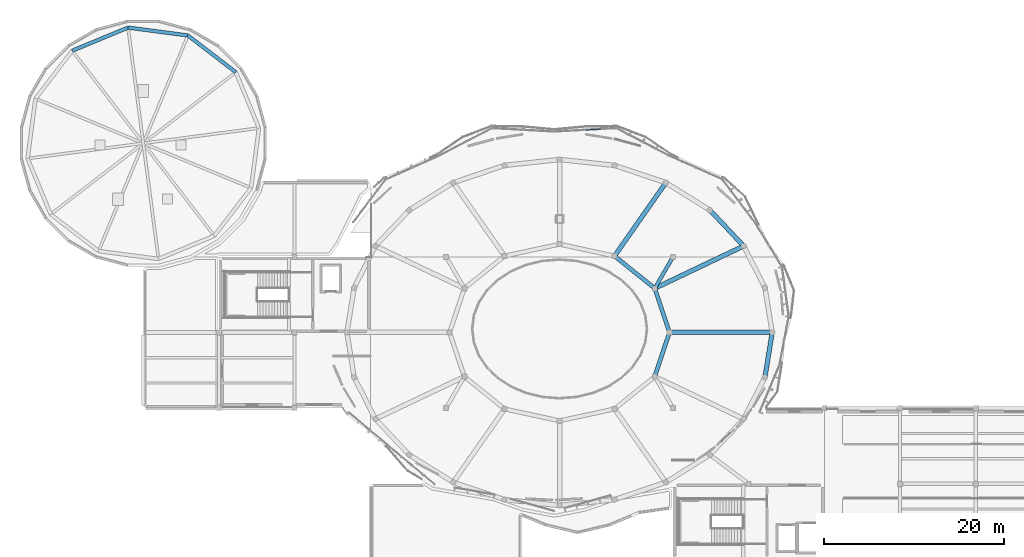
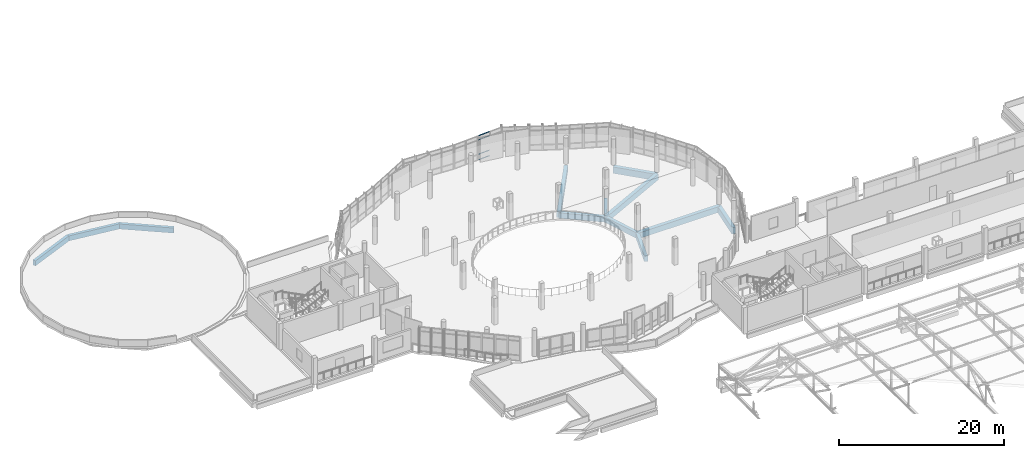
# One storey, part 41 of 74: 12 beams, 4 members, 1 element without a shape of its own.
"""IFC4 building model written with IfcOpenShell, lengths in metres."""

from ifc_helpers import new_model, si_unit, derived_unit, direction, frame, origin, origin_2d, place, context, subcontext, project, spatial, rectangle, hollow_rectangle, extrude, material, layer, layer_set, material_profile, profile_set, type_object, element, aggregate, save


model = new_model("IFC4")

# Units and contexts
model_context = context("Model", 3, precision=1e-05, world=origin(), true_north=direction((0.0, 1.0)))
body_context = subcontext(model_context, "Body", "Model", "MODEL_VIEW")
ifc_project = project(units=[si_unit("LENGTHUNIT", "METRE"), si_unit("AREAUNIT", "SQUARE_METRE"), si_unit("VOLUMEUNIT", "CUBIC_METRE"), si_unit("PLANEANGLEUNIT", "RADIAN"), si_unit("MASSUNIT", "GRAM", prefix="KILO"), derived_unit("THERMALTRANSMITTANCEUNIT", [(si_unit("POWERUNIT", "WATT"), 1), (si_unit("LENGTHUNIT", "METRE"), -2), (si_unit("THERMODYNAMICTEMPERATUREUNIT", "KELVIN"), -1)])], contexts=[model_context])

# Site, building, storey
site_placement = place(None, origin())
site = spatial("IfcSite", under=ifc_project, at=site_placement, CompositionType="ELEMENT")
building_placement = place(site_placement, origin())
building = spatial("IfcBuilding", under=site, at=building_placement, Name="Elbkamm Science Centre", CompositionType="ELEMENT")
storey_placement = place(building_placement, frame((0.0, 0.0, 14.39990234375)))
storey = spatial("IfcBuildingStorey", under=building, at=storey_placement, Name="L03", CompositionType="ELEMENT", Elevation=14.39990234375)

# Beams
ifc_material_1 = material(Name="Concrete C40/50", Category="concrete")
ifc_material_profile_1 = material_profile(ifc_material_1, rectangle(XDim=0.39990234375, YDim=0.64990234375, at=origin_2d()), Name="RC 400x650")
ifc_profile_set_1 = profile_set([ifc_material_profile_1], Name="Concrete C40/50")
beam_type_1 = type_object("IfcBeamType", Name="BM-RC-400x650", PredefinedType="BEAM", material=ifc_profile_set_1)
beam_1_placement = place(storey_placement, frame((75.489501953125, 75.409912109375, -0.60498046875), z_axis=(-0.502465212806, -0.864597426506, 0.0), x_axis=(0.864597426506, -0.502465212806, 0.0)))
element("IfcBeam", 1, at=beam_1_placement, inside=storey, type_object=beam_type_1, Name="L03 Perimeter Ring Tie Girder 060", PredefinedType="BEAM", context=body_context, shape_type="SweptSolid", body=[
    extrude(rectangle(XDim=0.39990234375, YDim=0.64990234375, at=origin_2d()), origin(), (0.0, 0.0, 1.0), 3.608154296875),
])
ifc_material_profile_2 = material_profile(ifc_material_1, rectangle(XDim=0.39990234375, YDim=0.75, at=origin_2d()), Name="RC 400x750")
ifc_profile_set_2 = profile_set([ifc_material_profile_2], Name="Concrete C40/50")
beam_type_2 = type_object("IfcBeamType", Name="BM-RC-400x750", PredefinedType="BEAM", material=ifc_profile_set_2)
for number, where, z_axis, x_axis, name in (
    (2, (27.073974609375, 96.0830078125, -0.5849609375), (-0.793316689519, 0.608809190249, 0.0), (-0.608809190249, -0.793316689519, 0.0), "L03 Planetarium Drum Ring Spandrel 02"),
    (3, (21.756103515625, 100.1640625, -0.5849609375), (-0.991444127465, 0.13053176669, 0.0), (-0.13053176669, -0.991444127465, 0.0), "L03 Planetarium Drum Ring Spandrel 03"),
    (4, (15.110107421875, 101.0390625, -0.5849609375), (-0.923896985298, -0.382641294893, 0.0), (0.382641294893, -0.923896985298, 0.0), "L03 Planetarium Drum Ring Spandrel 04"),
):
    element("IfcBeam", number, at=place(storey_placement, frame(where, z_axis=z_axis, x_axis=x_axis)), inside=storey, type_object=beam_type_2, Name=name, PredefinedType="SPANDREL", context=body_context, shape_type="SweptSolid", body=[
        extrude(rectangle(XDim=0.39990234375, YDim=0.75, at=origin_2d()), origin(), (0.0, 0.0, 1.0), 6.703369140625),
    ])
ifc_material_profile_3 = material_profile(ifc_material_1, rectangle(XDim=0.449951171875, YDim=0.800048828125, at=origin_2d()), Name="RC 450x800")
ifc_profile_set_3 = profile_set([ifc_material_profile_3], Name="Concrete C40/50")
beam_type_3 = type_object("IfcBeamType", Name="BM-RC-450x800", PredefinedType="BEAM", material=ifc_profile_set_3)
beam_2_placement = place(storey_placement, frame((75.199951171875, 67.199951171875, -0.679931640625), z_axis=(-0.31634119852, 0.948645479681, 0.0), x_axis=(-0.948645479681, -0.31634119852, 0.0)))
element("IfcBeam", 5, at=beam_2_placement, inside=storey, type_object=beam_type_3, Name="L03 Atrium Ring Girder 01", PredefinedType="BEAM", context=body_context, shape_type="SweptSolid", body=[
    extrude(rectangle(XDim=0.449951171875, YDim=0.800048828125, at=origin_2d()), origin(), (0.0, 0.0, 1.0), 5.16552734375),
])
beam_3_placement = place(storey_placement, frame((73.56591796875, 72.10009765625, -0.679931640625), z_axis=(-0.779653109273, 0.626211648887, 0.0), x_axis=(-0.626211648887, -0.779653109273, 0.0)))
element("IfcBeam", 6, at=beam_3_placement, inside=storey, type_object=beam_type_3, Name="L03 Atrium Ring Girder 02", PredefinedType="BEAM", context=body_context, shape_type="SweptSolid", body=[
    extrude(rectangle(XDim=0.449951171875, YDim=0.800048828125, at=origin_2d()), origin(), (0.0, 0.0, 1.0), 5.72802734375),
])
beam_4_placement = place(storey_placement, frame((73.56591796875, 62.300048828125, -0.679931640625), z_axis=(0.316355382987, 0.948640749523, 0.0), x_axis=(-0.948640749523, 0.316355382987, 0.0)))
element("IfcBeam", 7, at=beam_4_placement, inside=storey, type_object=beam_type_3, Name="L03 Atrium Ring Girder 12", PredefinedType="BEAM", context=body_context, shape_type="SweptSolid", body=[
    extrude(rectangle(XDim=0.449951171875, YDim=0.800048828125, at=origin_2d()), origin(), (0.0, 0.0, 1.0), 5.165283203125),
])
ifc_material_profile_4 = material_profile(ifc_material_1, rectangle(XDim=0.5, YDim=0.85009765625, at=origin_2d()), Name="RC 500x850")
ifc_profile_set_4 = profile_set([ifc_material_profile_4], Name="Concrete C40/50")
beam_type_4 = type_object("IfcBeamType", Name="BM-RC-500x850", PredefinedType="BEAM", material=ifc_profile_set_4)
beam_5_placement = place(storey_placement, frame((75.199951171875, 67.199951171875, -0.704833984375), z_axis=(1.0, 0.0, 0.0), x_axis=(0.0, 1.0, 0.0)))
element("IfcBeam", 8, at=beam_5_placement, inside=storey, type_object=beam_type_4, Name="L03 Elliptical Radial Girder 01", PredefinedType="BEAM", context=body_context, shape_type="SweptSolid", body=[
    extrude(rectangle(XDim=0.5, YDim=0.85009765625, at=origin_2d()), origin(), (0.0, 0.0, 1.0), 11.400146484375),
])
beam_6_placement = place(storey_placement, frame((73.56591796875, 72.10009765625, -0.704833984375), z_axis=(0.902897249077, 0.429856438371, 0.0), x_axis=(-0.429856438371, 0.902897249077, 0.0)))
element("IfcBeam", 9, at=beam_6_placement, inside=storey, type_object=beam_type_4, Name="L03 Elliptical Radial Girder 02", PredefinedType="BEAM", context=body_context, shape_type="SweptSolid", body=[
    extrude(rectangle(XDim=0.5, YDim=0.85009765625, at=origin_2d()), origin(), (0.0, 0.0, 1.0), 10.933837890625),
])
beam_7_placement = place(storey_placement, frame((69.10009765625, 75.68701171875, -0.704833984375), z_axis=(0.573553022395, 0.819168438419, 0.0), x_axis=(-0.819168438419, 0.573553022395, 0.0)))
element("IfcBeam", 10, at=beam_7_placement, inside=storey, type_object=beam_type_4, Name="L03 Elliptical Radial Girder 03", PredefinedType="BEAM", context=body_context, shape_type="SweptSolid", body=[
    extrude(rectangle(XDim=0.5, YDim=0.85009765625, at=origin_2d()), origin(), (0.0, 0.0, 1.0), 9.93798828125),
])
ifc_material_profile_5 = material_profile(ifc_material_1, rectangle(XDim=0.5, YDim=0.949951171875, at=origin_2d()), Name="RC 500x950")
ifc_profile_set_5 = profile_set([ifc_material_profile_5], Name="Concrete C40/50")
beam_type_5 = type_object("IfcBeamType", Name="BM-RC-500x950", PredefinedType="BEAM", material=ifc_profile_set_5)
beam_8_placement = place(storey_placement, frame((83.43798828125, 76.800048828125, -0.7548828125), z_axis=(-0.686144611421, 0.727465169075, 0.0), x_axis=(-0.727465169075, -0.686144611421, 0.0)))
element("IfcBeam", 11, at=beam_8_placement, inside=storey, type_object=beam_type_5, Name="L03 Elliptical Shell Perimeter Ring Beam 03", PredefinedType="SPANDREL", context=body_context, shape_type="SweptSolid", body=[
    extrude(rectangle(XDim=0.5, YDim=0.949951171875, at=origin_2d()), origin(), (0.0, 0.0, 1.0), 5.46533203125),
])
beam_9_placement = place(storey_placement, frame((85.7958984375, 62.23095703125, -0.7548828125), z_axis=(0.15976460627, 0.987155140078, 0.0), x_axis=(-0.987155140078, 0.15976460627, 0.0)))
element("IfcBeam", 12, at=beam_9_placement, inside=storey, type_object=beam_type_5, Name="L03 Elliptical Shell Perimeter Ring Beam 24", PredefinedType="SPANDREL", context=body_context, shape_type="SweptSolid", body=[
    extrude(rectangle(XDim=0.5, YDim=0.949951171875, at=origin_2d()), origin(), (0.0, 0.0, 1.0), 5.03369140625),
])

# Curtain wall, members
ifc_material_2 = material(Name="Powder-coated aluminium and triple low-E glazing", Category="aluminium")
ifc_layer = layer(ifc_material_2, 0.159912109375)
ifc_layer_set = layer_set([ifc_layer], Name="Powder-coated aluminium and triple low-E glazing")
curtain_wall_type = type_object("IfcCurtainWallType", Name="CW-UNIT-3400x3620", PredefinedType="USERDEFINED", material=ifc_layer_set)
curtain_wall_placement = place(storey_placement, origin())
curtain_wall = element("IfcCurtainWall", 13, at=curtain_wall_placement, inside=storey, type_object=curtain_wall_type, Name="L03 Unitised Curtain Wall 055", ObjectType="UNITISED CURTAIN WALL", PredefinedType="USERDEFINED")
ifc_material_3 = material(Name="Powder-coated aluminium EN AW-6060", Category="aluminium")
ifc_material_profile_6 = material_profile(ifc_material_3, hollow_rectangle(XDim=0.06005859375, YDim=0.1201171875, WallThickness=0.00341796875, at=origin_2d()), Name="ALU T60x120")
ifc_profile_set_6 = profile_set([ifc_material_profile_6], Name="Powder-coated aluminium EN AW-6060")
member_type = type_object("IfcMemberType", Name="CW-TRN-60x120", PredefinedType="USERDEFINED", material=ifc_profile_set_6)
member_1_placement = place(storey_placement, frame((67.553466796875, 89.767822265625, 0.030029296875), z_axis=(-0.998440741305, -0.055821914173, 0.0), x_axis=(0.055821914173, -0.998440741305, 0.0)))
member_1 = element("IfcMember", 14, at=member_1_placement, type_object=member_type, Name="CW-025 transom 2.1", ObjectType="TRANSOM", PredefinedType="USERDEFINED", context=body_context, shape_type="SweptSolid", body=[
    extrude(hollow_rectangle(XDim=0.06005859375, YDim=0.1201171875, WallThickness=0.00341796875, at=origin_2d()), origin(), (0.0, 0.0, 1.0), 1.61376953125),
])
member_2_placement = place(storey_placement, frame((67.553466796875, 89.767822265625, 0.85009765625), z_axis=(-0.998440741305, -0.055821914173, 0.0), x_axis=(0.055821914173, -0.998440741305, 0.0)))
member_2 = element("IfcMember", 15, at=member_2_placement, type_object=member_type, Name="CW-025 transom 2.2", ObjectType="TRANSOM", PredefinedType="USERDEFINED", context=body_context, shape_type="SweptSolid", body=[
    extrude(hollow_rectangle(XDim=0.06005859375, YDim=0.1201171875, WallThickness=0.00341796875, at=origin_2d()), origin(), (0.0, 0.0, 1.0), 1.61376953125),
])
member_3_placement = place(storey_placement, frame((67.553466796875, 89.767822265625, 2.97021484375), z_axis=(-0.998440741305, -0.055821914173, 0.0), x_axis=(0.055821914173, -0.998440741305, 0.0)))
member_3 = element("IfcMember", 16, at=member_3_placement, type_object=member_type, Name="CW-025 transom 2.3", ObjectType="TRANSOM", PredefinedType="USERDEFINED", context=body_context, shape_type="SweptSolid", body=[
    extrude(hollow_rectangle(XDim=0.06005859375, YDim=0.1201171875, WallThickness=0.00341796875, at=origin_2d()), origin(), (0.0, 0.0, 1.0), 1.61376953125),
])
member_4_placement = place(storey_placement, frame((67.553466796875, 89.767822265625, 3.590087890625), z_axis=(-0.998440741305, -0.055821914173, 0.0), x_axis=(0.055821914173, -0.998440741305, 0.0)))
member_4 = element("IfcMember", 17, at=member_4_placement, type_object=member_type, Name="CW-025 transom 2.4", ObjectType="TRANSOM", PredefinedType="USERDEFINED", context=body_context, shape_type="SweptSolid", body=[
    extrude(hollow_rectangle(XDim=0.06005859375, YDim=0.1201171875, WallThickness=0.00341796875, at=origin_2d()), origin(), (0.0, 0.0, 1.0), 1.61376953125),
])
aggregate(curtain_wall, [member_1, member_2, member_3, member_4])

save(model, "model.ifc")
